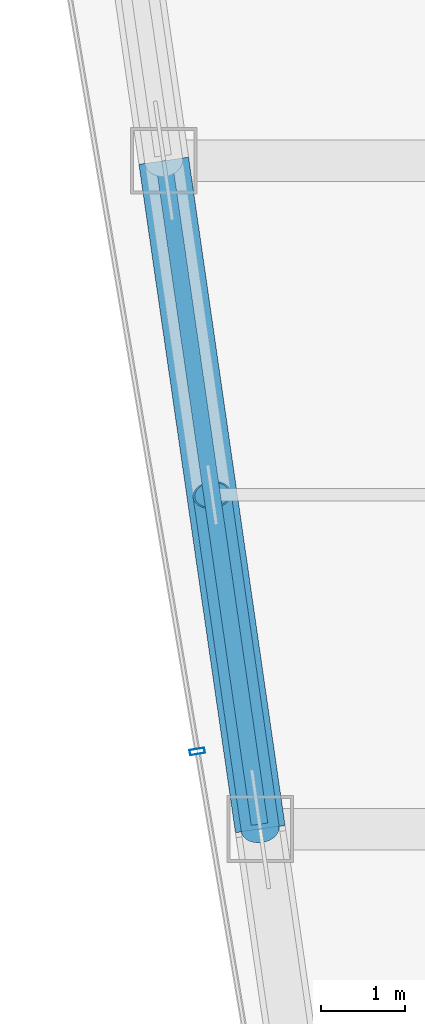
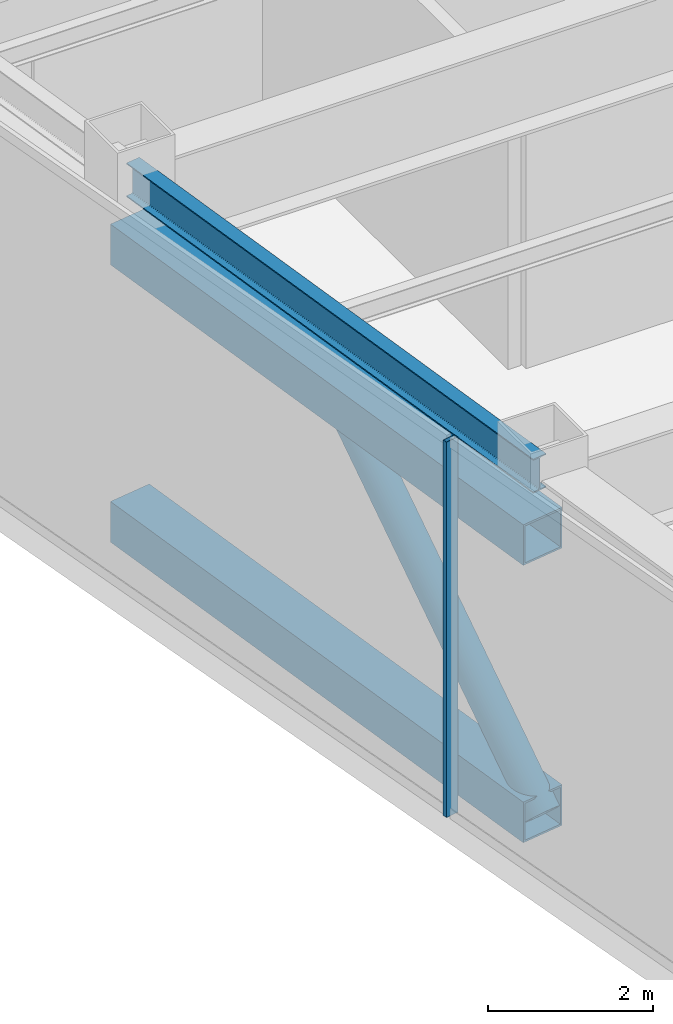
# One storey, part 5 of 34: 4 members, 1 beam, 1 element without a shape of its own.
"""IFC4 building model written with IfcOpenShell, lengths in metres."""

from ifc_helpers import new_model, si_unit, direction, frame, origin, origin_2d, place, context, subcontext, project, spatial, hollow_rectangle, hollow_circle, i_section, extrude, material, material_profile, profile_set, type_object, element, aggregate, save


model = new_model("IFC4")

# Units and contexts
model_context = context("Model", 3, precision=1e-05, world=origin(), true_north=direction((0.0, 1.0)))
body_context = subcontext(model_context, "Body", "Model", "MODEL_VIEW")
ifc_project = project(units=[si_unit("LENGTHUNIT", "METRE"), si_unit("AREAUNIT", "SQUARE_METRE"), si_unit("VOLUMEUNIT", "CUBIC_METRE"), si_unit("PLANEANGLEUNIT", "RADIAN"), si_unit("MASSUNIT", "GRAM", prefix="KILO")], contexts=[model_context])

# Site, building, storey
site_placement = place(None, origin())
site = spatial("IfcSite", under=ifc_project, at=site_placement, CompositionType="ELEMENT")
building_placement = place(site_placement, origin())
building = spatial("IfcBuilding", under=site, at=building_placement, Name="Saevonmaru Cultural Tower", CompositionType="ELEMENT")
storey_placement = place(building_placement, frame((0.0, 0.0, 224.60009765625)))
storey = spatial("IfcBuildingStorey", under=building, at=storey_placement, Name="L52", CompositionType="ELEMENT", Elevation=224.60009765625)

# Beam
ifc_material_1 = material(Name="Steel SM355", Category="steel")
ifc_material_profile_1 = material_profile(ifc_material_1, i_section(OverallWidth=0.199951171875, OverallDepth=0.5, WebThickness=0.010009765625, FlangeThickness=0.01611328125, FilletRadius=0.02001953125, at=origin_2d()), Name="H-500x200x10x16")
ifc_profile_set_1 = profile_set([ifc_material_profile_1], Name="Steel SM355")
beam_type = type_object("IfcBeamType", Name="BM-SP-H500", PredefinedType="SPANDREL", material=ifc_profile_set_1)
beam_placement = place(storey_placement, frame((9.46337890625, 24.059326171875, 5.2998046875), z_axis=(-0.142871999001, 0.989741174197, 0.0), x_axis=(-0.989741174197, -0.142871999001, 0.0)))
element("IfcBeam", 1, at=beam_placement, inside=storey, type_object=beam_type, Name="L52 West Splayed Spandrel 2", PredefinedType="SPANDREL", context=body_context, shape_type="SweptSolid", body=[
    extrude(i_section(OverallWidth=0.199951171875, OverallDepth=0.5, WebThickness=0.010009765625, FlangeThickness=0.01611328125, FilletRadius=0.02001953125, at=origin_2d()), origin(), (0.0, 0.0, 1.0), 7.963134765625),
])

# Members
ifc_material_2 = material(Name="Steel SM420", Category="steel")
ifc_material_profile_2 = material_profile(ifc_material_2, hollow_circle(Radius=0.228515625, WallThickness=0.02001953125, at=origin_2d()), Name="CHS-457.2x20")
ifc_profile_set_2 = profile_set([ifc_material_profile_2], Name="Steel SM420")
member_type_1 = type_object("IfcMemberType", Name="MB-BBR-CHS457", PredefinedType="BRACE", material=ifc_profile_set_2)
member_1_placement = place(storey_placement, frame((9.471923828125, 24.0, 0.2998046875), z_axis=(-0.100208326032, 0.694800344356, 0.712187315864), x_axis=(-0.989758915483, -0.142749042803, 0.0)))
element("IfcMember", 2, at=member_1_placement, inside=storey, type_object=member_type_1, Name="L52 Belt Truss Diagonal BW2-1", PredefinedType="BRACE", context=body_context, shape_type="SweptSolid", body=[
    extrude(hollow_circle(Radius=0.228515625, WallThickness=0.02001953125, at=origin_2d()), origin(), (0.0, 0.0, 1.0), 5.757080078125),
])
ifc_material_profile_3 = material_profile(ifc_material_2, hollow_rectangle(XDim=0.60009765625, YDim=0.60009765625, WallThickness=0.028076171875, at=origin_2d()), Name="BOX-600x600x28")
ifc_profile_set_3 = profile_set([ifc_material_profile_3], Name="Steel SM420")
member_type_2 = type_object("IfcMemberType", Name="MB-BCH-BOX600", PredefinedType="CHORD", material=ifc_profile_set_3)
for number, where, z_axis, x_axis, name in (
    (3, (9.471923828125, 24.0, 0.2998046875), (-0.142896985758, 0.989737566965, 0.0), (-0.989737566965, -0.142896985758, 0.0), "L52 Belt Truss Bottom Chord BW2"),
    (4, (9.471923828125, 24.0, 4.39990234375), (-0.142896985758, 0.989737566965, 0.0), (-0.989737566965, -0.142896985758, 0.0), "L52 Belt Truss Top Chord BW2"),
):
    element("IfcMember", number, at=place(storey_placement, frame(where, z_axis=z_axis, x_axis=x_axis)), inside=storey, type_object=member_type_2, Name=name, PredefinedType="CHORD", context=body_context, shape_type="SweptSolid", body=[
        extrude(hollow_rectangle(XDim=0.60009765625, YDim=0.60009765625, WallThickness=0.028076171875, at=origin_2d()), origin(), (0.0, 0.0, 1.0), 8.0830078125),
    ])

# Curtain wall, member
ifc_material_3 = material(Name="Satin Bronze Anodised Aluminium", Category="aluminium")
curtain_wall_type = type_object("IfcCurtainWallType", Name="CW-TYP-B", PredefinedType="NOTDEFINED", material=ifc_material_3)
curtain_wall_placement = place(storey_placement, origin())
curtain_wall = element("IfcCurtainWall", 5, at=curtain_wall_placement, inside=storey, type_object=curtain_wall_type, Name="L52 Wind-Floor Acoustic Louvre Screen E12", PredefinedType="NOTDEFINED")
ifc_material_profile_4 = material_profile(ifc_material_3, hollow_rectangle(XDim=0.06494140625, YDim=0.179931640625, WallThickness=0.00390625, at=origin_2d()), Name="ALU-MULL-180x65x4")
ifc_profile_set_4 = profile_set([ifc_material_profile_4], Name="Satin Bronze Anodised Aluminium")
member_type_3 = type_object("IfcMemberType", Name="ML-CW-180x65", PredefinedType="MULLION", material=ifc_profile_set_4)
member_2_placement = place(storey_placement, frame((8.71826171875, 24.9296875, 0.0), z_axis=(0.0, 0.0, 1.0), x_axis=(0.16692169721, -0.985970155228, 0.0)))
member_2 = element("IfcMember", 6, at=member_2_placement, type_object=member_type_3, Name="CW-TW-L52-E12 mullion 4", PredefinedType="MULLION", context=body_context, shape_type="SweptSolid", body=[
    extrude(hollow_rectangle(XDim=0.06494140625, YDim=0.179931640625, WallThickness=0.00390625, at=origin_2d()), origin(), (0.0, 0.0, 1.0), 5.5498046875),
])
aggregate(curtain_wall, [member_2])

save(model, "model.ifc")
